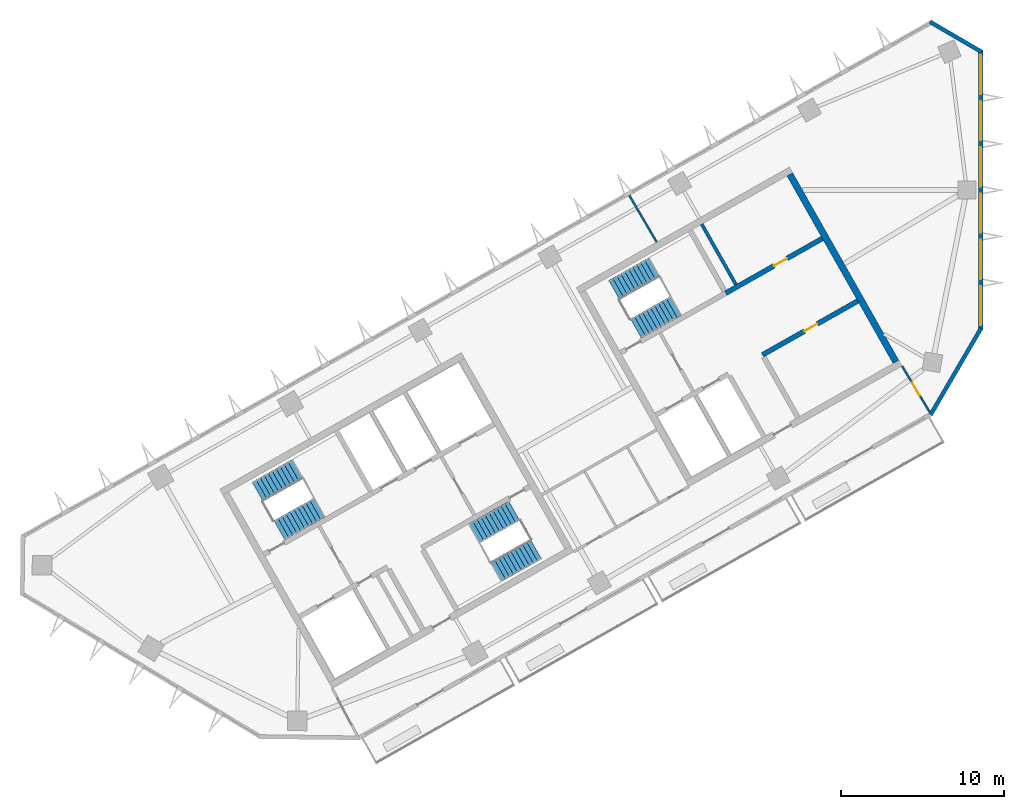
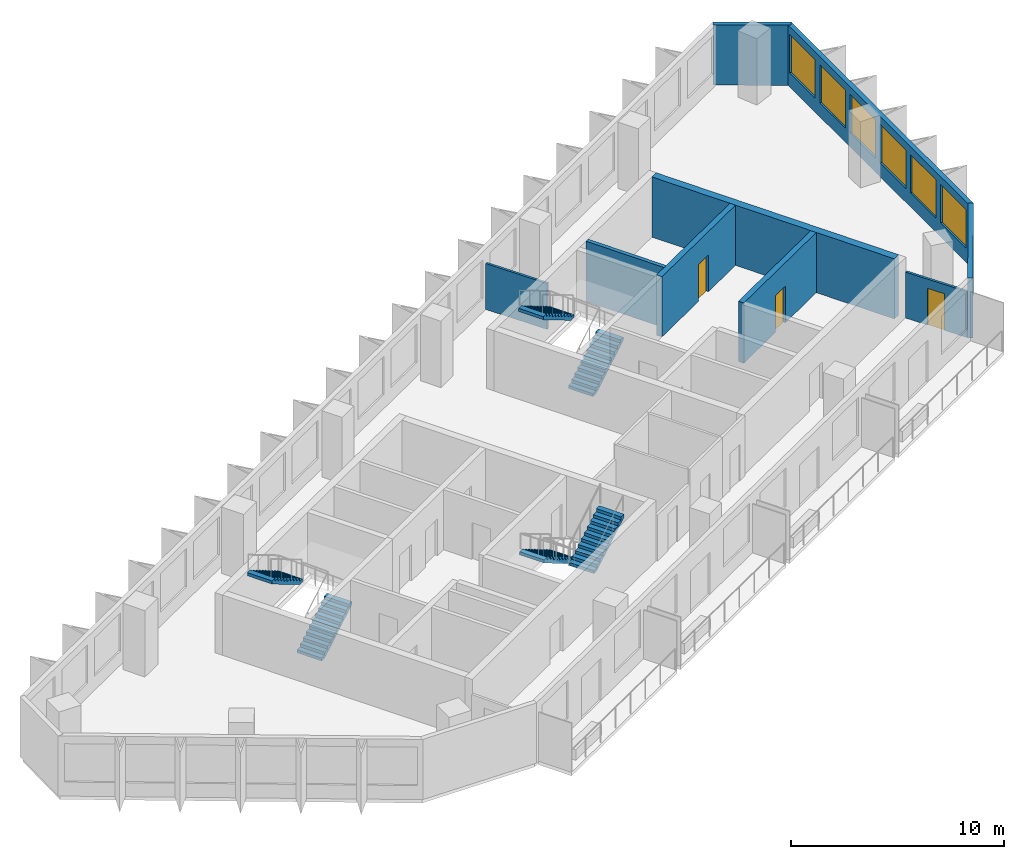
# One storey, part 5 of 8: 9 walls, 6 stair flights, 6 windows, 3 doors, 9 openings, 3 elements without a shape of their own.
"""IFC4 building model written with IfcOpenShell, lengths in metres."""

from ifc_helpers import new_model, si_unit, direction, frame, frame_2d, origin, place, context, subcontext, project, spatial, polyline, rectangle, outline, extrude, material, layer, layer_set, type_object, element, fill, aggregate, save


model = new_model("IFC4")

# Units and contexts
model_context = context("Model", 3, precision=1e-05, world=origin(), true_north=direction((0.0, 1.0)))
body_context = subcontext(model_context, "Body", "Model", "MODEL_VIEW")
ifc_project = project(units=[si_unit("LENGTHUNIT", "METRE"), si_unit("AREAUNIT", "SQUARE_METRE"), si_unit("VOLUMEUNIT", "CUBIC_METRE"), si_unit("PLANEANGLEUNIT", "RADIAN"), si_unit("MASSUNIT", "GRAM", prefix="KILO")], contexts=[model_context])

# Site, building, storey
site_placement = place(None, origin())
site = spatial("IfcSite", under=ifc_project, at=site_placement, CompositionType="ELEMENT")
building_placement = place(site_placement, origin())
building = spatial("IfcBuilding", under=site, at=building_placement, Name="Binnacle Exchange Tower", CompositionType="ELEMENT")
storey_placement = place(building_placement, frame((0.0, 0.0, 308.300048828125)))
storey = spatial("IfcBuildingStorey", under=building, at=storey_placement, Name="L69", CompositionType="ELEMENT", Elevation=308.300048828125)

# Wall, opening, door
ifc_material_1 = material(Name="Concrete C70/85", Category="concrete")
ifc_layer_1 = layer(ifc_material_1, 0.300048828125)
ifc_layer_set_1 = layer_set([ifc_layer_1], Name="Core wall - front 300")
wall_type_1 = type_object("IfcWallType", Name="Core wall - front 300", PredefinedType="SOLIDWALL", material=ifc_layer_set_1)
wall_1_placement = place(storey_placement, frame((-13.364501953125, 49.910888671875, 0.0), z_axis=(0.0, 0.0, 1.0), x_axis=(0.870347618718, 0.492437836272, 0.0)))
wall_1 = element("IfcWall", 1, at=wall_1_placement, inside=storey, type_object=wall_type_1, Name="Core wall CRWC3", PredefinedType="SOLIDWALL", context=body_context, shape_type="SweptSolid", body=[
    extrude(rectangle(XDim=6.699951171875, YDim=0.300048828125, at=frame_2d((3.35009765625, 0.0))), origin(), (0.0, 0.0, 1.0), 3.449951171875),
])
opening_1_placement = place(wall_1_placement, frame((2.949951171875, 0.0, 0.0)))
opening_1 = element("IfcOpeningElement", 2, at=opening_1_placement, cuts=wall_1, Name="Opening DC18", PredefinedType="OPENING", context=body_context, shape_type="SweptSolid", body=[
    extrude(rectangle(XDim=0.89990234375, YDim=2.10009765625, at=frame_2d((0.449951171875, 1.050048828125))), frame((0.0, 0.159912109375, 0.0), z_axis=(0.0, -1.0, 0.0), x_axis=(1.0, 0.0, 0.0)), (0.0, 0.0, 1.0), 0.320068359375),
])
ifc_material_2 = material(Name="Steel door leaf", Category="steel")
door_type_1 = type_object("IfcDoorType", Name="Fire door 900", OperationType="NOTDEFINED", PredefinedType="DOOR", material=ifc_material_2)
door_1_placement = place(opening_1_placement, frame((0.89990234375, 0.0, 0.0), z_axis=(0.0, 0.0, 1.0), x_axis=(-1.0, 0.0, 0.0)))
door_1 = element("IfcDoor", 3, at=door_1_placement, inside=storey, type_object=door_type_1, Name="Core room door SPARES STORE", OperationType="SINGLE_SWING_LEFT", OverallHeight=2.10009765625, OverallWidth=0.89990234375, PredefinedType="DOOR", context=body_context, shape_type="SweptSolid", body=[
    extrude(rectangle(XDim=0.89990234375, YDim=2.10009765625, at=frame_2d((0.449951171875, 1.050048828125))), frame((0.0, 0.02490234375, 0.0), z_axis=(0.0, -1.0, 0.0), x_axis=(1.0, 0.0, 0.0)), (0.0, 0.0, 1.0), 0.050048828125),
])
fill(opening_1, door_1)

wall_2_placement = place(storey_placement, frame((-15.6181640625, 53.69140625, 0.0), z_axis=(0.0, 0.0, 1.0), x_axis=(0.870362830851, 0.492410948978, 0.0)))
wall_2 = element("IfcWall", 4, at=wall_2_placement, inside=storey, type_object=wall_type_1, Name="Core wall CRWC5", PredefinedType="SOLIDWALL", context=body_context, shape_type="SweptSolid", body=[
    extrude(rectangle(XDim=6.800048828125, YDim=0.300048828125, at=frame_2d((3.39990234375, 0.0))), origin(), (0.0, 0.0, 1.0), 3.449951171875),
])
opening_2_placement = place(wall_2_placement, frame((3.400146484375, 0.0, 0.0)))
opening_2 = element("IfcOpeningElement", 5, at=opening_2_placement, cuts=wall_2, Name="Opening DC10", PredefinedType="OPENING", context=body_context, shape_type="SweptSolid", body=[
    extrude(rectangle(XDim=0.89990234375, YDim=2.10009765625, at=frame_2d((0.449951171875, 1.050048828125))), frame((0.0, 0.159912109375, 0.0), z_axis=(0.0, -1.0, 0.0), x_axis=(1.0, 0.0, 0.0)), (0.0, 0.0, 1.0), 0.320068359375),
])
door_2_placement = place(opening_2_placement, origin())
door_2 = element("IfcDoor", 6, at=door_2_placement, inside=storey, type_object=door_type_1, Name="Core room door WORKSHOP STORE", OperationType="SINGLE_SWING_RIGHT", OverallHeight=2.10009765625, OverallWidth=0.89990234375, PredefinedType="DOOR", context=body_context, shape_type="SweptSolid", body=[
    extrude(rectangle(XDim=0.89990234375, YDim=2.10009765625, at=frame_2d((0.449951171875, 1.050048828125))), frame((0.0, 0.02490234375, 0.0), z_axis=(0.0, -1.0, 0.0), x_axis=(1.0, 0.0, 0.0)), (0.0, 0.0, 1.0), 0.050048828125),
])
fill(opening_2, door_2)

# Walls
ifc_layer_2 = layer(ifc_material_1, 0.39990234375)
ifc_layer_set_2 = layer_set([ifc_layer_2], Name="Core wall - outer 400")
wall_type_2 = type_object("IfcWallType", Name="Core wall - outer 400", PredefinedType="SOLIDWALL", material=ifc_layer_set_2)
wall_3_placement = place(storey_placement, frame((-11.6923828125, 60.968017578125, 0.0), z_axis=(0.0, 0.0, 1.0), x_axis=(0.492421663121, -0.870356769198, 0.0)))
element("IfcWall", 7, at=wall_3_placement, inside=storey, type_object=wall_type_2, Name="Core wall CRWC24", PredefinedType="SOLIDWALL", context=body_context, shape_type="SweptSolid", body=[
    extrude(rectangle(XDim=13.199951171875, YDim=0.39990234375, at=frame_2d((6.60009765625, 0.0))), origin(), (0.0, 0.0, 1.0), 3.449951171875),
])
ifc_material_3 = material(Name="Bronze aluminium cladding", Category="aluminium")
ifc_layer_3 = layer(ifc_material_3, 0.25)
ifc_layer_set_3 = layer_set([ifc_layer_3], Name="External wall - window wall 250")
wall_type_3 = type_object("IfcWallType", Name="External wall - window wall 250", PredefinedType="STANDARD", material=ifc_layer_set_3)
wall_4_placement = place(storey_placement, frame((0.01708984375, 51.529296875, 0.0), z_axis=(0.0, 0.0, 1.0), x_axis=(-0.503769237131, -0.863838269424, 0.0)))
element("IfcWall", 8, at=wall_4_placement, inside=storey, type_object=wall_type_3, Name="External wall EW-H00 L69", PredefinedType="STANDARD", context=body_context, shape_type="SweptSolid", body=[
    extrude(rectangle(XDim=6.114501953125, YDim=0.25, at=frame_2d((3.05712890625, 0.0))), origin(), (0.0, 0.0, 1.0), 3.449951171875),
])

# Wall, openings, windows
wall_5_placement = place(storey_placement, frame((0.0, 68.57177734375, 0.0), z_axis=(0.0, 0.0, 1.0), x_axis=(0.0, -1.0, 0.0)))
wall_5 = element("IfcWall", 9, at=wall_5_placement, inside=storey, type_object=wall_type_3, Name="External wall EW-H01 L69", PredefinedType="STANDARD", context=body_context, shape_type="SweptSolid", body=[
    extrude(rectangle(XDim=17.10546875, YDim=0.25, at=frame_2d((8.552734375, 0.0))), origin(), (0.0, 0.0, 1.0), 3.449951171875),
])
opening_3_placement = place(wall_5_placement, frame((14.455078125, 0.0, 0.800048828125)))
opening_3 = element("IfcOpeningElement", 10, at=opening_3_placement, cuts=wall_5, Name="Opening WR2", PredefinedType="OPENING", context=body_context, shape_type="SweptSolid", body=[
    extrude(rectangle(XDim=2.39990234375, YDim=2.199951171875, at=frame_2d((1.199951171875, 1.10009765625))), frame((0.0, 0.135009765625, 0.0), z_axis=(0.0, -1.0, 0.0), x_axis=(1.0, 0.0, 0.0)), (0.0, 0.0, 1.0), 0.27001953125),
])
opening_4_placement = place(wall_5_placement, frame((11.621826171875, 0.0, 0.800048828125)))
opening_4 = element("IfcOpeningElement", 11, at=opening_4_placement, cuts=wall_5, Name="Opening WR2", PredefinedType="OPENING", context=body_context, shape_type="SweptSolid", body=[
    extrude(rectangle(XDim=2.39990234375, YDim=2.199951171875, at=frame_2d((1.199951171875, 1.10009765625))), frame((0.0, 0.135009765625, 0.0), z_axis=(0.0, -1.0, 0.0), x_axis=(1.0, 0.0, 0.0)), (0.0, 0.0, 1.0), 0.27001953125),
])
opening_5_placement = place(wall_5_placement, frame((8.78857421875, 0.0, 0.800048828125)))
opening_5 = element("IfcOpeningElement", 12, at=opening_5_placement, cuts=wall_5, Name="Opening WR2", PredefinedType="OPENING", context=body_context, shape_type="SweptSolid", body=[
    extrude(rectangle(XDim=2.39990234375, YDim=2.199951171875, at=frame_2d((1.199951171875, 1.10009765625))), frame((0.0, 0.135009765625, 0.0), z_axis=(0.0, -1.0, 0.0), x_axis=(1.0, 0.0, 0.0)), (0.0, 0.0, 1.0), 0.27001953125),
])
opening_6_placement = place(wall_5_placement, frame((5.955078125, 0.0, 0.800048828125)))
opening_6 = element("IfcOpeningElement", 13, at=opening_6_placement, cuts=wall_5, Name="Opening WR2", PredefinedType="OPENING", context=body_context, shape_type="SweptSolid", body=[
    extrude(rectangle(XDim=2.39990234375, YDim=2.199951171875, at=frame_2d((1.199951171875, 1.10009765625))), frame((0.0, 0.135009765625, 0.0), z_axis=(0.0, -1.0, 0.0), x_axis=(1.0, 0.0, 0.0)), (0.0, 0.0, 1.0), 0.27001953125),
])
opening_7_placement = place(wall_5_placement, frame((3.121826171875, 0.0, 0.800048828125)))
opening_7 = element("IfcOpeningElement", 14, at=opening_7_placement, cuts=wall_5, Name="Opening WR2", PredefinedType="OPENING", context=body_context, shape_type="SweptSolid", body=[
    extrude(rectangle(XDim=2.39990234375, YDim=2.199951171875, at=frame_2d((1.199951171875, 1.10009765625))), frame((0.0, 0.135009765625, 0.0), z_axis=(0.0, -1.0, 0.0), x_axis=(1.0, 0.0, 0.0)), (0.0, 0.0, 1.0), 0.27001953125),
])
opening_8_placement = place(wall_5_placement, frame((0.28857421875, 0.0, 0.800048828125)))
opening_8 = element("IfcOpeningElement", 15, at=opening_8_placement, cuts=wall_5, Name="Opening WR2", PredefinedType="OPENING", context=body_context, shape_type="SweptSolid", body=[
    extrude(rectangle(XDim=2.39990234375, YDim=2.199951171875, at=frame_2d((1.199951171875, 1.10009765625))), frame((0.0, 0.135009765625, 0.0), z_axis=(0.0, -1.0, 0.0), x_axis=(1.0, 0.0, 0.0)), (0.0, 0.0, 1.0), 0.27001953125),
])
ifc_material_4 = material(Name="Bronze anodised aluminium frame", Category="aluminium")
window_type = type_object("IfcWindowType", Name="WR2 WINDOW 2400x2200", PartitioningType="SINGLE_PANEL", PredefinedType="WINDOW", material=ifc_material_4)
window_1_placement = place(opening_3_placement, origin())
window_1 = element("IfcWindow", 16, at=window_1_placement, inside=storey, type_object=window_type, Name="Window WR2 L69", OverallHeight=2.199951171875, OverallWidth=2.39990234375, PartitioningType="SINGLE_PANEL", PredefinedType="WINDOW", context=body_context, shape_type="SweptSolid", body=[
    extrude(rectangle(XDim=2.39990234375, YDim=2.199951171875, at=frame_2d((1.199951171875, 1.10009765625))), frame((0.0, 0.030029296875, 0.0), z_axis=(0.0, -1.0, 0.0), x_axis=(1.0, 0.0, 0.0)), (0.0, 0.0, 1.0), 0.06005859375),
])
fill(opening_3, window_1)
window_2_placement = place(opening_4_placement, origin())
window_2 = element("IfcWindow", 17, at=window_2_placement, inside=storey, type_object=window_type, Name="Window WR2 L69", OverallHeight=2.199951171875, OverallWidth=2.39990234375, PartitioningType="SINGLE_PANEL", PredefinedType="WINDOW", context=body_context, shape_type="SweptSolid", body=[
    extrude(rectangle(XDim=2.39990234375, YDim=2.199951171875, at=frame_2d((1.199951171875, 1.10009765625))), frame((0.0, 0.030029296875, 0.0), z_axis=(0.0, -1.0, 0.0), x_axis=(1.0, 0.0, 0.0)), (0.0, 0.0, 1.0), 0.06005859375),
])
fill(opening_4, window_2)
window_3_placement = place(opening_5_placement, origin())
window_3 = element("IfcWindow", 18, at=window_3_placement, inside=storey, type_object=window_type, Name="Window WR2 L69", OverallHeight=2.199951171875, OverallWidth=2.39990234375, PartitioningType="SINGLE_PANEL", PredefinedType="WINDOW", context=body_context, shape_type="SweptSolid", body=[
    extrude(rectangle(XDim=2.39990234375, YDim=2.199951171875, at=frame_2d((1.199951171875, 1.10009765625))), frame((0.0, 0.030029296875, 0.0), z_axis=(0.0, -1.0, 0.0), x_axis=(1.0, 0.0, 0.0)), (0.0, 0.0, 1.0), 0.06005859375),
])
fill(opening_5, window_3)
window_4_placement = place(opening_6_placement, origin())
window_4 = element("IfcWindow", 19, at=window_4_placement, inside=storey, type_object=window_type, Name="Window WR2 L69", OverallHeight=2.199951171875, OverallWidth=2.39990234375, PartitioningType="SINGLE_PANEL", PredefinedType="WINDOW", context=body_context, shape_type="SweptSolid", body=[
    extrude(rectangle(XDim=2.39990234375, YDim=2.199951171875, at=frame_2d((1.199951171875, 1.10009765625))), frame((0.0, 0.030029296875, 0.0), z_axis=(0.0, -1.0, 0.0), x_axis=(1.0, 0.0, 0.0)), (0.0, 0.0, 1.0), 0.06005859375),
])
fill(opening_6, window_4)
window_5_placement = place(opening_7_placement, origin())
window_5 = element("IfcWindow", 20, at=window_5_placement, inside=storey, type_object=window_type, Name="Window WR2 L69", OverallHeight=2.199951171875, OverallWidth=2.39990234375, PartitioningType="SINGLE_PANEL", PredefinedType="WINDOW", context=body_context, shape_type="SweptSolid", body=[
    extrude(rectangle(XDim=2.39990234375, YDim=2.199951171875, at=frame_2d((1.199951171875, 1.10009765625))), frame((0.0, 0.030029296875, 0.0), z_axis=(0.0, -1.0, 0.0), x_axis=(1.0, 0.0, 0.0)), (0.0, 0.0, 1.0), 0.06005859375),
])
fill(opening_7, window_5)
window_6_placement = place(opening_8_placement, origin())
window_6 = element("IfcWindow", 21, at=window_6_placement, inside=storey, type_object=window_type, Name="Window WR2 L69", OverallHeight=2.199951171875, OverallWidth=2.39990234375, PartitioningType="SINGLE_PANEL", PredefinedType="WINDOW", context=body_context, shape_type="SweptSolid", body=[
    extrude(rectangle(XDim=2.39990234375, YDim=2.199951171875, at=frame_2d((1.199951171875, 1.10009765625))), frame((0.0, 0.030029296875, 0.0), z_axis=(0.0, -1.0, 0.0), x_axis=(1.0, 0.0, 0.0)), (0.0, 0.0, 1.0), 0.06005859375),
])
fill(opening_8, window_6)

# Walls
wall_6_placement = place(storey_placement, frame((-3.108154296875, 70.312744140625, 0.0), z_axis=(0.0, 0.0, 1.0), x_axis=(0.86382474085, -0.503792434536, 0.0)))
element("IfcWall", 22, at=wall_6_placement, inside=storey, type_object=wall_type_3, Name="External wall EW-H02 L69", PredefinedType="STANDARD", context=body_context, shape_type="SweptSolid", body=[
    extrude(rectangle(XDim=3.669921875, YDim=0.25, at=frame_2d((1.8349609375, 0.0))), origin(), (0.0, 0.0, 1.0), 3.449951171875),
])
ifc_material_5 = material(Name="Gypsum partition")
ifc_layer_4 = layer(ifc_material_5, 0.125)
ifc_layer_set_4 = layer_set([ifc_layer_4], Name="Partition 125")
wall_type_4 = type_object("IfcWallType", Name="Partition 125", PredefinedType="PARTITIONING", material=ifc_layer_set_4)
wall_7_placement = place(storey_placement, frame((-21.52392578125, 59.678955078125, 0.0), z_axis=(0.0, 0.0, 1.0), x_axis=(0.505730823443, -0.862691331949, 0.0)))
element("IfcWall", 23, at=wall_7_placement, inside=storey, type_object=wall_type_4, Name="Partition W09", PredefinedType="PARTITIONING", context=body_context, shape_type="SweptSolid", body=[
    extrude(rectangle(XDim=3.31982421875, YDim=0.125, at=frame_2d((1.659912109375, 0.0))), origin(), (0.0, 0.0, 1.0), 2.6298828125),
])

# Wall, opening, door
wall_8_placement = place(storey_placement, frame((-4.821044921875, 49.22998046875, 0.0), z_axis=(0.0, 0.0, 1.0), x_axis=(0.515006587647, -0.857186219371, 0.0)))
wall_8 = element("IfcWall", 24, at=wall_8_placement, inside=storey, type_object=wall_type_4, Name="Partition W11", PredefinedType="PARTITIONING", context=body_context, shape_type="SweptSolid", body=[
    extrude(rectangle(XDim=3.302734375, YDim=0.125, at=frame_2d((1.6513671875, 0.0))), origin(), (0.0, 0.0, 1.0), 2.6298828125),
])
opening_9_placement = place(wall_8_placement, frame((1.199951171875, 0.0, 0.0)))
opening_9 = element("IfcOpeningElement", 25, at=opening_9_placement, cuts=wall_8, Name="Opening DL68-05", PredefinedType="OPENING", context=body_context, shape_type="SweptSolid", body=[
    extrude(rectangle(XDim=0.89990234375, YDim=2.10009765625, at=frame_2d((0.449951171875, 1.050048828125))), frame((0.0, 0.072509765625, 0.0), z_axis=(0.0, -1.0, 0.0), x_axis=(1.0, 0.0, 0.0)), (0.0, 0.0, 1.0), 0.14501953125),
])
ifc_material_6 = material(Name="Timber door leaf", Category="wood")
door_type_2 = type_object("IfcDoorType", Name="Door 900", OperationType="NOTDEFINED", PredefinedType="DOOR", material=ifc_material_6)
door_3_placement = place(opening_9_placement, origin())
door_3 = element("IfcDoor", 26, at=door_3_placement, inside=storey, type_object=door_type_2, Name="Door DL68-05", OperationType="SINGLE_SWING_LEFT", OverallHeight=2.10009765625, OverallWidth=0.89990234375, PredefinedType="DOOR", context=body_context, shape_type="SweptSolid", body=[
    extrude(rectangle(XDim=0.89990234375, YDim=2.10009765625, at=frame_2d((0.449951171875, 1.050048828125))), frame((0.0, 0.02490234375, 0.0), z_axis=(0.0, -1.0, 0.0), x_axis=(1.0, 0.0, 0.0)), (0.0, 0.0, 1.0), 0.050048828125),
])
fill(opening_9, door_3)

# Wall
ifc_material_7 = material(Name="Masonry block wall", Category="masonry")
ifc_layer_5 = layer(ifc_material_7, 0.199951171875)
ifc_layer_set_5 = layer_set([ifc_layer_5], Name="Riser wall 200")
wall_type_5 = type_object("IfcWallType", Name="Riser wall 200", PredefinedType="SOLIDWALL", material=ifc_layer_set_5)
wall_9_placement = place(storey_placement, frame((-17.088623046875, 57.914794921875, 0.0), z_axis=(0.0, 0.0, 1.0), x_axis=(0.492422543467, -0.870356271124, 0.0)))
element("IfcWall", 27, at=wall_9_placement, inside=storey, type_object=wall_type_5, Name="Core wall CRWC16", PredefinedType="SOLIDWALL", context=body_context, shape_type="SweptSolid", body=[
    extrude(rectangle(XDim=4.25, YDim=0.199951171875, at=frame_2d((2.125, 0.0))), origin(), (0.0, 0.0, 1.0), 3.449951171875),
])

# Stair, stair flights
ifc_material_8 = material(Name="Concrete C35/45", Category="concrete")
stair_type = type_object("IfcStairType", Name="STAIR 22 RISERS 173", PredefinedType="HALF_TURN_STAIR", material=ifc_material_8)
stair_1_placement = place(storey_placement, origin())
stair_1 = element("IfcStair", 28, at=stair_1_placement, inside=storey, type_object=stair_type, Name="L69 Escape stair A1", PredefinedType="HALF_TURN_STAIR")
stair_flight_type = type_object("IfcStairFlightType", Name="STAIR FLIGHT 173X280", PredefinedType="STRAIGHT", material=ifc_material_8)
stair_flight_1_placement = place(storey_placement, frame((-42.9541015625, 39.17333984375, 0.0), z_axis=(0.0, 0.0, 1.0), x_axis=(0.870355584213, 0.492423757581, 0.0)))
stair_flight_1 = element("IfcStairFlight", 29, at=stair_flight_1_placement, type_object=stair_flight_type, Name="STA1 flight 1", NumberOfRisers=11, NumberOfTreads=10, PredefinedType="STRAIGHT", RiserHeight=0.172727273, TreadLength=0.28, context=body_context, shape_type="SweptSolid", body=[
    extrude(outline(polyline([(0.0, 0.0), (0.0, 0.172607421875), (0.280029296875, 0.172607421875), (0.280029296875, 0.345458984375), (0.56005859375, 0.345458984375), (0.56005859375, 0.51806640625), (0.840087890625, 0.51806640625), (0.840087890625, 0.69091796875), (1.1201171875, 0.69091796875), (1.1201171875, 0.863525390625), (1.39990234375, 0.863525390625), (1.39990234375, 1.036376953125), (1.679931640625, 1.036376953125), (1.679931640625, 1.208984375), (1.9599609375, 1.208984375), (1.9599609375, 1.3818359375), (2.239990234375, 1.3818359375), (2.239990234375, 1.554443359375), (2.52001953125, 1.554443359375), (2.52001953125, 1.727294921875), (2.800048828125, 1.727294921875), (2.800048828125, 1.89990234375), (2.800048828125, 1.551025390625), (0.285400390625, 0.0), (0.0, 0.0)])), frame((0.0, 0.675048828125, 0.0), z_axis=(0.0, -1.0, 0.0), x_axis=(1.0, 0.0, 0.0)), (0.0, 0.0, 1.0), 1.35009765625),
])
stair_flight_2_placement = place(storey_placement, frame((-41.846435546875, 42.902099609375, 1.89990234375), z_axis=(0.0, 0.0, 1.0), x_axis=(-0.870355584213, -0.492423757581, 0.0)))
stair_flight_2 = element("IfcStairFlight", 30, at=stair_flight_2_placement, type_object=stair_flight_type, Name="STA1 flight 2", NumberOfRisers=11, NumberOfTreads=10, PredefinedType="STRAIGHT", RiserHeight=0.172727273, TreadLength=0.28, context=body_context, shape_type="SweptSolid", body=[
    extrude(outline(polyline([(0.0, 0.0), (0.0, 0.172607421875), (0.280029296875, 0.172607421875), (0.280029296875, 0.345458984375), (0.56005859375, 0.345458984375), (0.56005859375, 0.51806640625), (0.840087890625, 0.51806640625), (0.840087890625, 0.69091796875), (1.1201171875, 0.69091796875), (1.1201171875, 0.863525390625), (1.39990234375, 0.863525390625), (1.39990234375, 1.036376953125), (1.679931640625, 1.036376953125), (1.679931640625, 1.208984375), (1.9599609375, 1.208984375), (1.9599609375, 1.3818359375), (2.239990234375, 1.3818359375), (2.239990234375, 1.554443359375), (2.52001953125, 1.554443359375), (2.52001953125, 1.727294921875), (2.800048828125, 1.727294921875), (2.800048828125, 1.89990234375), (2.800048828125, 1.551025390625), (0.285400390625, 0.0), (0.0, 0.0)])), frame((0.0, 0.675048828125, 0.0), z_axis=(0.0, -1.0, 0.0), x_axis=(1.0, 0.0, 0.0)), (0.0, 0.0, 1.0), 1.35009765625),
])
aggregate(stair_1, [stair_flight_1, stair_flight_2])

stair_2_placement = place(storey_placement, origin())
stair_2 = element("IfcStair", 31, at=stair_2_placement, inside=storey, type_object=stair_type, Name="L69 Escape stair A2", PredefinedType="HALF_TURN_STAIR")
stair_flight_3_placement = place(storey_placement, frame((-28.5732421875, 40.3583984375, 0.0), z_axis=(0.0, 0.0, 1.0), x_axis=(-0.870355584213, -0.492423757581, 0.0)))
stair_flight_3 = element("IfcStairFlight", 32, at=stair_flight_3_placement, type_object=stair_flight_type, Name="STA2 flight 1", NumberOfRisers=11, NumberOfTreads=10, PredefinedType="STRAIGHT", RiserHeight=0.172727273, TreadLength=0.28, context=body_context, shape_type="SweptSolid", body=[
    extrude(outline(polyline([(0.0, 0.0), (0.0, 0.172607421875), (0.280029296875, 0.172607421875), (0.280029296875, 0.345458984375), (0.56005859375, 0.345458984375), (0.56005859375, 0.51806640625), (0.840087890625, 0.51806640625), (0.840087890625, 0.69091796875), (1.1201171875, 0.69091796875), (1.1201171875, 0.863525390625), (1.39990234375, 0.863525390625), (1.39990234375, 1.036376953125), (1.679931640625, 1.036376953125), (1.679931640625, 1.208984375), (1.9599609375, 1.208984375), (1.9599609375, 1.3818359375), (2.239990234375, 1.3818359375), (2.239990234375, 1.554443359375), (2.52001953125, 1.554443359375), (2.52001953125, 1.727294921875), (2.800048828125, 1.727294921875), (2.800048828125, 1.89990234375), (2.800048828125, 1.551025390625), (0.285400390625, 0.0), (0.0, 0.0)])), frame((0.0, 0.675048828125, 0.0), z_axis=(0.0, -1.0, 0.0), x_axis=(1.0, 0.0, 0.0)), (0.0, 0.0, 1.0), 1.35009765625),
])
stair_flight_4_placement = place(storey_placement, frame((-29.6806640625, 36.629638671875, 1.89990234375), z_axis=(0.0, 0.0, 1.0), x_axis=(0.870355584213, 0.492423757581, 0.0)))
stair_flight_4 = element("IfcStairFlight", 33, at=stair_flight_4_placement, type_object=stair_flight_type, Name="STA2 flight 2", NumberOfRisers=11, NumberOfTreads=10, PredefinedType="STRAIGHT", RiserHeight=0.172727273, TreadLength=0.28, context=body_context, shape_type="SweptSolid", body=[
    extrude(outline(polyline([(0.0, 0.0), (0.0, 0.172607421875), (0.280029296875, 0.172607421875), (0.280029296875, 0.345458984375), (0.56005859375, 0.345458984375), (0.56005859375, 0.51806640625), (0.840087890625, 0.51806640625), (0.840087890625, 0.69091796875), (1.1201171875, 0.69091796875), (1.1201171875, 0.863525390625), (1.39990234375, 0.863525390625), (1.39990234375, 1.036376953125), (1.679931640625, 1.036376953125), (1.679931640625, 1.208984375), (1.9599609375, 1.208984375), (1.9599609375, 1.3818359375), (2.239990234375, 1.3818359375), (2.239990234375, 1.554443359375), (2.52001953125, 1.554443359375), (2.52001953125, 1.727294921875), (2.800048828125, 1.727294921875), (2.800048828125, 1.89990234375), (2.800048828125, 1.551025390625), (0.285400390625, 0.0), (0.0, 0.0)])), frame((0.0, 0.675048828125, 0.0), z_axis=(0.0, -1.0, 0.0), x_axis=(1.0, 0.0, 0.0)), (0.0, 0.0, 1.0), 1.35009765625),
])
aggregate(stair_2, [stair_flight_3, stair_flight_4])

stair_3_placement = place(storey_placement, origin())
stair_3 = element("IfcStair", 34, at=stair_3_placement, inside=storey, type_object=stair_type, Name="L69 Escape stair C1", PredefinedType="HALF_TURN_STAIR")
stair_flight_5_placement = place(storey_placement, frame((-21.115966796875, 51.528564453125, 0.0), z_axis=(0.0, 0.0, 1.0), x_axis=(0.870355584213, 0.492423757581, 0.0)))
stair_flight_5 = element("IfcStairFlight", 35, at=stair_flight_5_placement, type_object=stair_flight_type, Name="STC1 flight 1", NumberOfRisers=11, NumberOfTreads=10, PredefinedType="STRAIGHT", RiserHeight=0.172727273, TreadLength=0.28, context=body_context, shape_type="SweptSolid", body=[
    extrude(outline(polyline([(0.0, 0.0), (0.0, 0.172607421875), (0.280029296875, 0.172607421875), (0.280029296875, 0.345458984375), (0.56005859375, 0.345458984375), (0.56005859375, 0.51806640625), (0.840087890625, 0.51806640625), (0.840087890625, 0.69091796875), (1.1201171875, 0.69091796875), (1.1201171875, 0.863525390625), (1.39990234375, 0.863525390625), (1.39990234375, 1.036376953125), (1.679931640625, 1.036376953125), (1.679931640625, 1.208984375), (1.9599609375, 1.208984375), (1.9599609375, 1.3818359375), (2.239990234375, 1.3818359375), (2.239990234375, 1.554443359375), (2.52001953125, 1.554443359375), (2.52001953125, 1.727294921875), (2.800048828125, 1.727294921875), (2.800048828125, 1.89990234375), (2.800048828125, 1.551025390625), (0.285400390625, 0.0), (0.0, 0.0)])), frame((0.0, 0.675048828125, 0.0), z_axis=(0.0, -1.0, 0.0), x_axis=(1.0, 0.0, 0.0)), (0.0, 0.0, 1.0), 1.35009765625),
])
stair_flight_6_placement = place(storey_placement, frame((-20.008544921875, 55.25732421875, 1.89990234375), z_axis=(0.0, 0.0, 1.0), x_axis=(-0.870355584213, -0.492423757581, 0.0)))
stair_flight_6 = element("IfcStairFlight", 36, at=stair_flight_6_placement, type_object=stair_flight_type, Name="STC1 flight 2", NumberOfRisers=11, NumberOfTreads=10, PredefinedType="STRAIGHT", RiserHeight=0.172727273, TreadLength=0.28, context=body_context, shape_type="SweptSolid", body=[
    extrude(outline(polyline([(0.0, 0.0), (0.0, 0.172607421875), (0.280029296875, 0.172607421875), (0.280029296875, 0.345458984375), (0.56005859375, 0.345458984375), (0.56005859375, 0.51806640625), (0.840087890625, 0.51806640625), (0.840087890625, 0.69091796875), (1.1201171875, 0.69091796875), (1.1201171875, 0.863525390625), (1.39990234375, 0.863525390625), (1.39990234375, 1.036376953125), (1.679931640625, 1.036376953125), (1.679931640625, 1.208984375), (1.9599609375, 1.208984375), (1.9599609375, 1.3818359375), (2.239990234375, 1.3818359375), (2.239990234375, 1.554443359375), (2.52001953125, 1.554443359375), (2.52001953125, 1.727294921875), (2.800048828125, 1.727294921875), (2.800048828125, 1.89990234375), (2.800048828125, 1.551025390625), (0.285400390625, 0.0), (0.0, 0.0)])), frame((0.0, 0.675048828125, 0.0), z_axis=(0.0, -1.0, 0.0), x_axis=(1.0, 0.0, 0.0)), (0.0, 0.0, 1.0), 1.35009765625),
])
aggregate(stair_3, [stair_flight_5, stair_flight_6])

save(model, "model.ifc")
